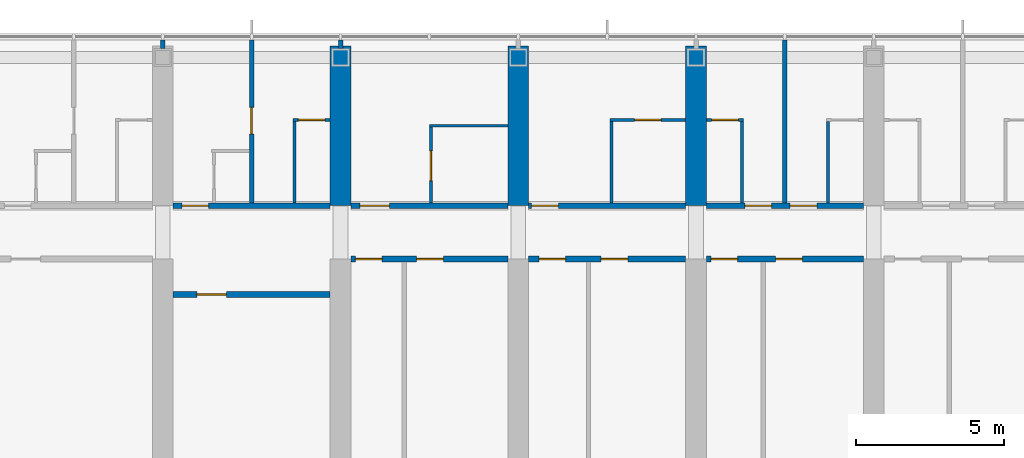
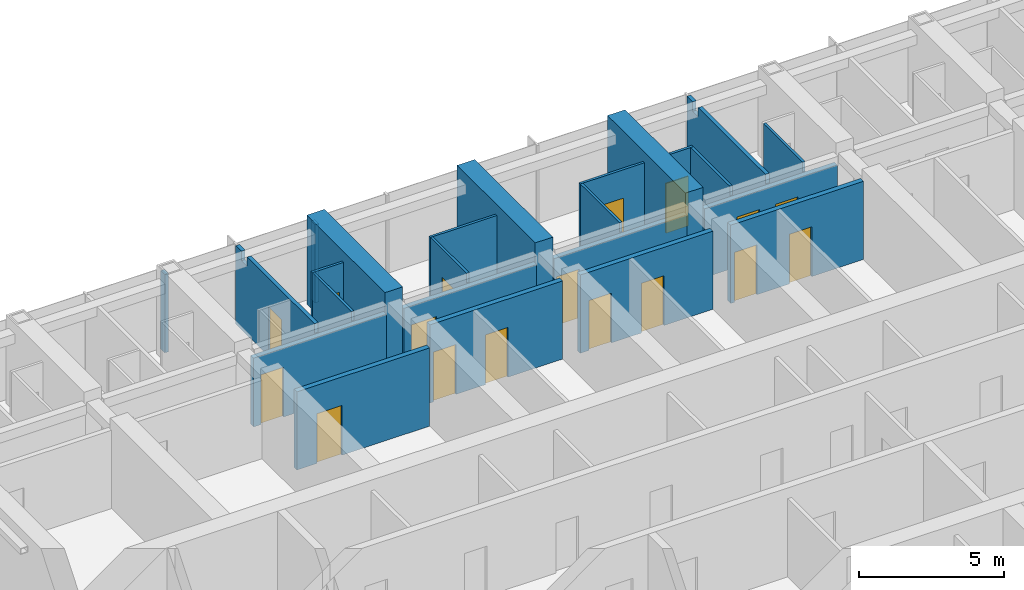
# One storey, part 17 of 24: 24 walls, 17 doors, 17 openings.
"""IFC4 building model written with IfcOpenShell, lengths in metres."""

import ifcopenshell
import ifcopenshell.guid

model = None  # the IFC model being written
_history = None  # IfcOwnerHistory: only IFC2X3 demands one
_inside = {}  # id of a spatial element -> (the spatial element, [elements in it])
_under = {}  # id of a project, library or spatial element -> (it, [spatial elements below it])
_declared = {}  # id of a project -> (the project, [libraries it declares])
_typed = {}  # id of a type object -> (the type object, [elements of that type])
_made_of = {}  # id of a material, layer set ... -> (it, [elements and type objects made of it])


def new_model(schema):
    """Start an empty IFC model of exactly this schema.

    Asked for "IFC4X3", IfcOpenShell would pick the latest addendum, in which some entities
    have other attributes; the version numbers below select the first issue.
    IFC2X3 requires an IfcOwnerHistory on every rooted entity: one is made here for all.
    """
    global model, _history
    if schema == "IFC4X3":
        model = ifcopenshell.file(schema_version=(4, 3, 0, 0))
    else:
        model = ifcopenshell.file(schema=schema)
    _inside.clear()
    _under.clear()
    _declared.clear()
    _typed.clear()
    _made_of.clear()
    _history = None
    if model.schema == "IFC2X3":
        org = make("IfcOrganization", Name="unknown")
        user = make(
            "IfcPersonAndOrganization",
            ThePerson=make("IfcPerson", FamilyName="unknown"),
            TheOrganization=org,
        )
        app = make(
            "IfcApplication",
            ApplicationDeveloper=org,
            Version="unknown",
            ApplicationFullName="unknown",
            ApplicationIdentifier="unknown",
        )
        _history = make(
            "IfcOwnerHistory",
            OwningUser=user,
            OwningApplication=app,
            ChangeAction="ADDED",
            CreationDate=0,
        )
    return model


def make(cls, **values):
    """One entity of the class cls with the attributes given. An attribute that is None is left unset."""
    return model.create_entity(
        cls, **{name: value for name, value in values.items() if value is not None}
    )


def rooted(cls, **values):
    """An entity with a GlobalId (a new one), such as an element, a storey or a relation."""
    return make(cls, GlobalId=ifcopenshell.guid.new(), OwnerHistory=_history, **values)


def si_unit(unit_type, name, prefix=None):
    """IfcSIUnit, for example si_unit("LENGTHUNIT", "METRE", prefix="MILLI")."""
    return make("IfcSIUnit", UnitType=unit_type, Prefix=prefix, Name=name)


def assignment(units):
    """IfcUnitAssignment: the units of a project."""
    return None if units is None else make("IfcUnitAssignment", Units=units)


def point(xyz):
    """IfcCartesianPoint."""
    return None if xyz is None else make("IfcCartesianPoint", Coordinates=xyz)


def direction(xyz):
    """IfcDirection."""
    return None if xyz is None else make("IfcDirection", DirectionRatios=xyz)


def frame(location, z_axis=None, x_axis=None):
    """IfcAxis2Placement3D, a coordinate frame: its origin and axes. An axis left out is left unset."""
    return make(
        "IfcAxis2Placement3D",
        Location=point(location),
        Axis=direction(z_axis),
        RefDirection=direction(x_axis),
    )


def frame_2d(location, x_axis=None):
    """IfcAxis2Placement2D, a coordinate frame in the plane: its origin and x axis."""
    return make(
        "IfcAxis2Placement2D", Location=point(location), RefDirection=direction(x_axis)
    )


def origin():
    """The frame at (0, 0, 0) with its axes left unset."""
    return frame((0.0, 0.0, 0.0))


def place(relative_to, where):
    """IfcLocalPlacement: puts the frame where relative to a parent placement (None: the world)."""
    return make(
        "IfcLocalPlacement", PlacementRelTo=relative_to, RelativePlacement=where
    )


def context(
    kind, dimensions, precision=None, world=None, true_north=None, identifier=None
):
    """IfcGeometricRepresentationContext, for example the 3D "Model" context."""
    return make(
        "IfcGeometricRepresentationContext",
        ContextIdentifier=identifier,
        ContextType=kind,
        CoordinateSpaceDimension=dimensions,
        Precision=precision,
        WorldCoordinateSystem=world,
        TrueNorth=true_north,
    )


def subcontext(parent, identifier, kind, view, scale=None):
    """IfcGeometricRepresentationSubContext, for example "Body" below "Model"."""
    return make(
        "IfcGeometricRepresentationSubContext",
        ContextIdentifier=identifier,
        ContextType=kind,
        ParentContext=parent,
        TargetScale=scale,
        TargetView=view,
    )


def project(units=None, contexts=None):
    """IfcProject with its units and contexts."""
    return rooted(
        "IfcProject",
        Name="project",
        RepresentationContexts=contexts,
        UnitsInContext=assignment(units),
    )


def spatial(cls, under=None, at=None, **own):
    """A site, building, storey or space (cls), placed at a placement, below another one or the project."""
    s = rooted(cls, ObjectPlacement=at, **own)
    if under is not None:
        _under.setdefault(under.id(), (under, []))[1].append(s)
    return s


def polyline(points):
    """IfcPolyline through the points."""
    return make("IfcPolyline", Points=[point(p) for p in points])


def profile(cls, at=None, kind="AREA", **sizes):
    """A parametric profile (cls). Its sizes go by their IFC names, for example OverallWidth=200.0."""
    return make(cls, ProfileType=kind, Position=at, **sizes)


def rectangle(**sizes):
    """IfcRectangleProfileDef."""
    return profile("IfcRectangleProfileDef", **sizes)


def outline(outer, holes=None, kind="AREA"):
    """IfcArbitraryClosedProfileDef: a profile drawn as a closed curve; with holes, ...WithVoids."""
    if holes is None:
        return make("IfcArbitraryClosedProfileDef", ProfileType=kind, OuterCurve=outer)
    return make(
        "IfcArbitraryProfileDefWithVoids",
        ProfileType=kind,
        OuterCurve=outer,
        InnerCurves=holes,
    )


def extrude(swept, where, along, depth):
    """IfcExtrudedAreaSolid: the profile swept, set in the frame where, extruded along a direction by depth."""
    return make(
        "IfcExtrudedAreaSolid",
        SweptArea=swept,
        Position=where,
        ExtrudedDirection=direction(along),
        Depth=depth,
    )


def shape(context_of_items, identifier, shape_type, items):
    """IfcShapeRepresentation: the items that make up one representation, for example the "Body"."""
    return make(
        "IfcShapeRepresentation",
        ContextOfItems=context_of_items,
        RepresentationIdentifier=identifier,
        RepresentationType=shape_type,
        Items=items,
    )


def material(Name=None, Category=None):
    """IfcMaterial."""
    return make("IfcMaterial", Name=Name, Category=Category)


def layer(
    of_material, thickness, ventilated=None, Name=None, Category=None, Priority=None
):
    """IfcMaterialLayer: one layer of a wall or slab, of a material (None: an air gap)."""
    return make(
        "IfcMaterialLayer",
        Material=of_material,
        LayerThickness=thickness,
        IsVentilated=ventilated,
        Name=Name,
        Category=Category,
        Priority=Priority,
    )


def layer_set(layers, Name=None):
    """IfcMaterialLayerSet."""
    return make("IfcMaterialLayerSet", MaterialLayers=layers, LayerSetName=Name)


def made_of(thing, what):
    """Note that an element or type object is made of a material, layer set ...; save() writes the relation."""
    if what is not None:
        _made_of.setdefault(what.id(), (what, []))[1].append(thing)
    return thing


def type_object(cls, material=None, **own):
    """A type object (cls), such as IfcWallType, which elements share."""
    return made_of(rooted(cls, **own), material)


def element(
    cls,
    number,
    at=None,
    inside=None,
    cuts=None,
    type_object=None,
    material=None,
    context=None,
    identifier="Body",
    shape_type=None,
    held_by="IfcProductDefinitionShape",
    body=None,
    shapes=None,
    **own,
):
    """One element of the class cls, such as IfcWall. Its Tag is "e" and its number.

    at: its placement. inside: the storey or other place that contains it. cuts: it is an
    opening in that element (IfcRelVoidsElement). A single representation is given by context,
    identifier, shape_type and body (its items); several are given by shapes. held_by: the class
    of the entity that holds the representations. save() writes the other relations.
    """
    e = rooted(cls, Tag="e%d" % number, ObjectPlacement=at, **own)
    if body is not None:
        shapes = [shape(context, identifier, shape_type, body)]
    if shapes is not None:
        e.Representation = make(held_by, Representations=shapes)
    if inside is not None:
        _inside.setdefault(inside.id(), (inside, []))[1].append(e)
    if cuts is not None:
        rooted(
            "IfcRelVoidsElement", RelatingBuildingElement=cuts, RelatedOpeningElement=e
        )
    if type_object is not None:
        _typed.setdefault(type_object.id(), (type_object, []))[1].append(e)
    return made_of(e, material)


def fill(opening, filler):
    """IfcRelFillsElement: the door or window that sits in an opening."""
    return rooted(
        "IfcRelFillsElement",
        RelatingOpeningElement=opening,
        RelatedBuildingElement=filler,
    )


def aggregate(whole, parts):
    """IfcRelAggregates: a whole, such as a stair, and the parts it consists of."""
    return rooted("IfcRelAggregates", RelatingObject=whole, RelatedObjects=parts)


def save(model, path):
    """Write the relations noted so far, then the file.

    IfcRelAggregates (storeys below a building ...), IfcRelContainedInSpatialStructure (elements
    in a storey), IfcRelDefinesByType, IfcRelAssociatesMaterial and IfcRelDeclares: one each for
    every whole, place, type object, material and project.
    """
    for whole, parts in _under.values():
        aggregate(whole, parts)
    for where, things in _inside.values():
        rooted(
            "IfcRelContainedInSpatialStructure",
            RelatedElements=things,
            RelatingStructure=where,
        )
    for kind, things in _typed.values():
        rooted("IfcRelDefinesByType", RelatedObjects=things, RelatingType=kind)
    for what, things in _made_of.values():
        rooted("IfcRelAssociatesMaterial", RelatedObjects=things, RelatingMaterial=what)
    for by, libraries in _declared.values():
        rooted("IfcRelDeclares", RelatingContext=by, RelatedDefinitions=libraries)
    model.write(path)


model = new_model("IFC4")

# Units and contexts
model_context = context("Model", 3, precision=1e-05, world=origin(), true_north=direction((0.0, 1.0)))
body_context = subcontext(model_context, "Body", "Model", "MODEL_VIEW")
ifc_project = project(units=[si_unit("LENGTHUNIT", "METRE"), si_unit("AREAUNIT", "SQUARE_METRE"), si_unit("VOLUMEUNIT", "CUBIC_METRE"), si_unit("PLANEANGLEUNIT", "RADIAN"), si_unit("MASSUNIT", "GRAM", prefix="KILO")], contexts=[model_context])

# Site, building, storey
site_placement = place(None, origin())
site = spatial("IfcSite", under=ifc_project, at=site_placement, CompositionType="ELEMENT")
building_placement = place(site_placement, origin())
building = spatial("IfcBuilding", under=site, at=building_placement, Name="Orbita Commons", CompositionType="ELEMENT")
storey_placement = place(building_placement, frame((0.0, 0.0, 242.800048828125)))
storey = spatial("IfcBuildingStorey", under=building, at=storey_placement, Name="L60", CompositionType="ELEMENT", Elevation=242.800048828125)

# Wall, opening, door
ifc_material_1 = material(Name="Concrete blockwork", Category="masonry")
ifc_layer_1 = layer(ifc_material_1, 0.199951171875)
ifc_layer_set_1 = layer_set([ifc_layer_1], Name="Concrete blockwork")
wall_type_1 = type_object("IfcWallType", Name="Corridor wall 200 blockwork", PredefinedType="SOLIDWALL", material=ifc_layer_set_1)
wall_1_placement = place(storey_placement, frame((30.35009765625, 47.39990234375, 0.0), z_axis=(0.0, 0.0, 1.0), x_axis=(1.0, 0.0, 0.0)))
wall_1 = element("IfcWall", 1, at=wall_1_placement, inside=storey, type_object=wall_type_1, Name="Corridor wall 200 blockwork L60", PredefinedType="SOLIDWALL", context=body_context, shape_type="SweptSolid", body=[
    extrude(outline(polyline([(0.0, 0.0), (5.2998046875, 0.0), (5.300048828125, 2.89990234375), (0.0, 2.89990234375), (0.0, 0.0)])), frame((0.0, 0.10009765625, 0.0), z_axis=(0.0, -1.0, 0.0), x_axis=(1.0, 0.0, 0.0)), (0.0, 0.0, 1.0), 0.199951171875),
])
opening_1_placement = place(wall_1_placement, frame((0.300048828125, 0.0, 0.0)))
opening_1 = element("IfcOpeningElement", 2, at=opening_1_placement, cuts=wall_1, Name="Opening D11", PredefinedType="OPENING", context=body_context, shape_type="SweptSolid", body=[
    extrude(rectangle(XDim=0.89990234375, YDim=2.10009765625, at=frame_2d((0.449951171875, 1.050048828125))), frame((0.0, 0.10986328125, 0.0), z_axis=(0.0, -1.0, 0.0), x_axis=(1.0, 0.0, 0.0)), (0.0, 0.0, 1.0), 0.219970703125),
])
ifc_material_2 = material(Name="Steel-faced fire door leaf", Category="steel")
door_type_1 = type_object("IfcDoorType", Name="Corridor door 20 min 900x2100", OperationType="SINGLE_SWING_LEFT", PredefinedType="DOOR", material=ifc_material_2)
door_1_placement = place(opening_1_placement, origin())
door_1 = element("IfcDoor", 3, at=door_1_placement, inside=storey, type_object=door_type_1, Name="Guest suite sitting room and kitchenette L60-N04 entrance door", OperationType="SINGLE_SWING_LEFT", OverallHeight=2.10009765625, OverallWidth=0.89990234375, PredefinedType="DOOR", context=body_context, shape_type="SweptSolid", body=[
    extrude(rectangle(XDim=0.89990234375, YDim=2.10009765625, at=frame_2d((0.449951171875, 1.050048828125))), frame((0.0, 0.02490234375, 0.0), z_axis=(0.0, -1.0, 0.0), x_axis=(1.0, 0.0, 0.0)), (0.0, 0.0, 1.0), 0.050048828125),
])
fill(opening_1, door_1)

wall_2_placement = place(storey_placement, frame((36.35009765625, 47.39990234375, 0.0), z_axis=(0.0, 0.0, 1.0), x_axis=(1.0, 0.0, 0.0)))
wall_2 = element("IfcWall", 4, at=wall_2_placement, inside=storey, type_object=wall_type_1, Name="Corridor wall 200 blockwork L60", PredefinedType="SOLIDWALL", context=body_context, shape_type="SweptSolid", body=[
    extrude(outline(polyline([(0.0, 0.0), (5.2998046875, 0.0), (5.300048828125, 2.89990234375), (0.0, 2.89990234375), (0.0, 0.0)])), frame((0.0, 0.10009765625, 0.0), z_axis=(0.0, -1.0, 0.0), x_axis=(1.0, 0.0, 0.0)), (0.0, 0.0, 1.0), 0.199951171875),
])
opening_2_placement = place(wall_2_placement, frame((0.300048828125, 0.0, 0.0)))
opening_2 = element("IfcOpeningElement", 5, at=opening_2_placement, cuts=wall_2, Name="Opening D06", PredefinedType="OPENING", context=body_context, shape_type="SweptSolid", body=[
    extrude(rectangle(XDim=1.0, YDim=2.10009765625, at=frame_2d((0.5, 1.050048828125))), frame((0.0, 0.10986328125, 0.0), z_axis=(0.0, -1.0, 0.0), x_axis=(1.0, 0.0, 0.0)), (0.0, 0.0, 1.0), 0.219970703125),
])
ifc_material_3 = material(Name="Steel-faced fire door leaf", Category="steel")
door_type_2 = type_object("IfcDoorType", Name="Corridor door 20 min 1000x2100", OperationType="SINGLE_SWING_LEFT", PredefinedType="DOOR", material=ifc_material_3)
door_2_placement = place(opening_2_placement, origin())
door_2 = element("IfcDoor", 6, at=door_2_placement, inside=storey, type_object=door_type_2, Name="Accessible bedroom L60-N06 door", OperationType="SINGLE_SWING_LEFT", OverallHeight=2.10009765625, OverallWidth=1.0, PredefinedType="DOOR", context=body_context, shape_type="SweptSolid", body=[
    extrude(rectangle(XDim=1.0, YDim=2.10009765625, at=frame_2d((0.5, 1.050048828125))), frame((0.0, 0.02490234375, 0.0), z_axis=(0.0, -1.0, 0.0), x_axis=(1.0, 0.0, 0.0)), (0.0, 0.0, 1.0), 0.050048828125),
])
fill(opening_2, door_2)

wall_3_placement = place(storey_placement, frame((42.35009765625, 47.39990234375, 0.0), z_axis=(0.0, 0.0, 1.0), x_axis=(1.0, 0.0, 0.0)))
wall_3 = element("IfcWall", 7, at=wall_3_placement, inside=storey, type_object=wall_type_1, Name="Corridor wall 200 blockwork L60", PredefinedType="SOLIDWALL", context=body_context, shape_type="SweptSolid", body=[
    extrude(outline(polyline([(0.0, 0.0), (5.2998046875, 0.0), (5.300048828125, 2.89990234375), (0.0, 2.89990234375), (0.0, 0.0)])), frame((0.0, 0.10009765625, 0.0), z_axis=(0.0, -1.0, 0.0), x_axis=(1.0, 0.0, 0.0)), (0.0, 0.0, 1.0), 0.199951171875),
])
opening_3_placement = place(wall_3_placement, frame((0.10009765625, 0.0, 0.0)))
opening_3 = element("IfcOpeningElement", 8, at=opening_3_placement, cuts=wall_3, Name="Opening D11", PredefinedType="OPENING", context=body_context, shape_type="SweptSolid", body=[
    extrude(rectangle(XDim=0.89990234375, YDim=2.10009765625, at=frame_2d((0.449951171875, 1.050048828125))), frame((0.0, 0.10986328125, 0.0), z_axis=(0.0, -1.0, 0.0), x_axis=(1.0, 0.0, 0.0)), (0.0, 0.0, 1.0), 0.219970703125),
])
door_3_placement = place(opening_3_placement, origin())
door_3 = element("IfcDoor", 9, at=door_3_placement, inside=storey, type_object=door_type_1, Name="Studio apartment with kitchenette L60-N08 door", OperationType="SINGLE_SWING_LEFT", OverallHeight=2.10009765625, OverallWidth=0.89990234375, PredefinedType="DOOR", context=body_context, shape_type="SweptSolid", body=[
    extrude(rectangle(XDim=0.89990234375, YDim=2.10009765625, at=frame_2d((0.449951171875, 1.050048828125))), frame((0.0, 0.02490234375, 0.0), z_axis=(0.0, -1.0, 0.0), x_axis=(1.0, 0.0, 0.0)), (0.0, 0.0, 1.0), 0.050048828125),
])
fill(opening_3, door_3)

# Wall, openings, doors
wall_4_placement = place(storey_placement, frame((48.35009765625, 47.39990234375, 0.0), z_axis=(0.0, 0.0, 1.0), x_axis=(1.0, 0.0, 0.0)))
wall_4 = element("IfcWall", 10, at=wall_4_placement, inside=storey, type_object=wall_type_1, Name="Corridor wall 200 blockwork L60", PredefinedType="SOLIDWALL", context=body_context, shape_type="SweptSolid", body=[
    extrude(outline(polyline([(0.0, 0.0), (5.2998046875, 0.0), (5.300048828125, 2.89990234375), (0.0, 2.89990234375), (0.0, 0.0)])), frame((0.0, 0.10009765625, 0.0), z_axis=(0.0, -1.0, 0.0), x_axis=(1.0, 0.0, 0.0)), (0.0, 0.0, 1.0), 0.199951171875),
])
opening_4_placement = place(wall_4_placement, frame((1.300048828125, 0.0, 0.0)))
opening_4 = element("IfcOpeningElement", 11, at=opening_4_placement, cuts=wall_4, Name="Opening D11", PredefinedType="OPENING", context=body_context, shape_type="SweptSolid", body=[
    extrude(rectangle(XDim=0.89990234375, YDim=2.10009765625, at=frame_2d((0.449951171875, 1.050048828125))), frame((0.0, 0.10986328125, 0.0), z_axis=(0.0, -1.0, 0.0), x_axis=(1.0, 0.0, 0.0)), (0.0, 0.0, 1.0), 0.219970703125),
])
opening_5_placement = place(wall_4_placement, frame((2.824951171875, 0.0, 0.0)))
opening_5 = element("IfcOpeningElement", 12, at=opening_5_placement, cuts=wall_4, Name="Opening D11", PredefinedType="OPENING", context=body_context, shape_type="SweptSolid", body=[
    extrude(rectangle(XDim=0.89990234375, YDim=2.10009765625, at=frame_2d((0.449951171875, 1.050048828125))), frame((0.0, 0.10986328125, 0.0), z_axis=(0.0, -1.0, 0.0), x_axis=(1.0, 0.0, 0.0)), (0.0, 0.0, 1.0), 0.219970703125),
])
door_4_placement = place(opening_4_placement, origin())
door_4 = element("IfcDoor", 13, at=door_4_placement, inside=storey, type_object=door_type_1, Name="Cluster bedroom L60-N10 door", OperationType="SINGLE_SWING_LEFT", OverallHeight=2.10009765625, OverallWidth=0.89990234375, PredefinedType="DOOR", context=body_context, shape_type="SweptSolid", body=[
    extrude(rectangle(XDim=0.89990234375, YDim=2.10009765625, at=frame_2d((0.449951171875, 1.050048828125))), frame((0.0, 0.02490234375, 0.0), z_axis=(0.0, -1.0, 0.0), x_axis=(1.0, 0.0, 0.0)), (0.0, 0.0, 1.0), 0.050048828125),
])
fill(opening_4, door_4)
door_5_placement = place(opening_5_placement, origin())
door_5 = element("IfcDoor", 14, at=door_5_placement, inside=storey, type_object=door_type_1, Name="Cluster bedroom L60-N11 door", OperationType="SINGLE_SWING_LEFT", OverallHeight=2.10009765625, OverallWidth=0.89990234375, PredefinedType="DOOR", context=body_context, shape_type="SweptSolid", body=[
    extrude(rectangle(XDim=0.89990234375, YDim=2.10009765625, at=frame_2d((0.449951171875, 1.050048828125))), frame((0.0, 0.02490234375, 0.0), z_axis=(0.0, -1.0, 0.0), x_axis=(1.0, 0.0, 0.0)), (0.0, 0.0, 1.0), 0.050048828125),
])
fill(opening_5, door_5)

ifc_material_4 = material(Name="Hollow concrete block 200", Category="concrete")
ifc_layer_2 = layer(ifc_material_4, 0.199951171875)
ifc_layer_set_2 = layer_set([ifc_layer_2], Name="Hollow concrete block 200")
wall_type_2 = type_object("IfcWallType", Name="Corridor wall 200 hollow concrete block", PredefinedType="SOLIDWALL", material=ifc_layer_set_2)
wall_5_placement = place(storey_placement, frame((36.35009765625, 45.60009765625, 0.0), z_axis=(0.0, 0.0, 1.0), x_axis=(1.0, 0.0, 0.0)))
wall_5 = element("IfcWall", 15, at=wall_5_placement, inside=storey, type_object=wall_type_2, Name="Corridor wall 200 hollow concrete block L60", PredefinedType="SOLIDWALL", context=body_context, shape_type="SweptSolid", body=[
    extrude(rectangle(XDim=5.2998046875, YDim=0.199951171875, at=frame_2d((2.64990234375, 0.0))), origin(), (0.0, 0.0, 1.0), 3.300048828125),
])
opening_6_placement = place(wall_5_placement, frame((0.14990234375, 0.0, 0.0)))
opening_6 = element("IfcOpeningElement", 16, at=opening_6_placement, cuts=wall_5, Name="Opening D11", PredefinedType="OPENING", context=body_context, shape_type="SweptSolid", body=[
    extrude(rectangle(XDim=0.89990234375, YDim=2.10009765625, at=frame_2d((0.449951171875, 1.050048828125))), frame((0.0, 0.10986328125, 0.0), z_axis=(0.0, -1.0, 0.0), x_axis=(1.0, 0.0, 0.0)), (0.0, 0.0, 1.0), 0.219970703125),
])
opening_7_placement = place(wall_5_placement, frame((2.219970703125, 0.0, 0.0)))
opening_7 = element("IfcOpeningElement", 17, at=opening_7_placement, cuts=wall_5, Name="Opening D11", PredefinedType="OPENING", context=body_context, shape_type="SweptSolid", body=[
    extrude(rectangle(XDim=0.89990234375, YDim=2.10009765625, at=frame_2d((0.449951171875, 1.050048828125))), frame((0.0, 0.10986328125, 0.0), z_axis=(0.0, -1.0, 0.0), x_axis=(1.0, 0.0, 0.0)), (0.0, 0.0, 1.0), 0.219970703125),
])
door_6_placement = place(opening_6_placement, origin())
door_6 = element("IfcDoor", 18, at=door_6_placement, inside=storey, type_object=door_type_1, Name="Equipment store L60-BDN36n door", OperationType="SINGLE_SWING_LEFT", OverallHeight=2.10009765625, OverallWidth=0.89990234375, PredefinedType="DOOR", context=body_context, shape_type="SweptSolid", body=[
    extrude(rectangle(XDim=0.89990234375, YDim=2.10009765625, at=frame_2d((0.449951171875, 1.050048828125))), frame((0.0, 0.02490234375, 0.0), z_axis=(0.0, -1.0, 0.0), x_axis=(1.0, 0.0, 0.0)), (0.0, 0.0, 1.0), 0.050048828125),
])
fill(opening_6, door_6)
door_7_placement = place(opening_7_placement, origin())
door_7 = element("IfcDoor", 19, at=door_7_placement, inside=storey, type_object=door_type_1, Name="IT and print room L60-BDN36 door", OperationType="SINGLE_SWING_LEFT", OverallHeight=2.10009765625, OverallWidth=0.89990234375, PredefinedType="DOOR", context=body_context, shape_type="SweptSolid", body=[
    extrude(rectangle(XDim=0.89990234375, YDim=2.10009765625, at=frame_2d((0.449951171875, 1.050048828125))), frame((0.0, 0.02490234375, 0.0), z_axis=(0.0, -1.0, 0.0), x_axis=(1.0, 0.0, 0.0)), (0.0, 0.0, 1.0), 0.050048828125),
])
fill(opening_7, door_7)

wall_6_placement = place(storey_placement, frame((42.35009765625, 45.60009765625, 0.0), z_axis=(0.0, 0.0, 1.0), x_axis=(1.0, 0.0, 0.0)))
wall_6 = element("IfcWall", 20, at=wall_6_placement, inside=storey, type_object=wall_type_2, Name="Corridor wall 200 hollow concrete block L60", PredefinedType="SOLIDWALL", context=body_context, shape_type="SweptSolid", body=[
    extrude(rectangle(XDim=5.2998046875, YDim=0.199951171875, at=frame_2d((2.64990234375, 0.0))), origin(), (0.0, 0.0, 1.0), 3.300048828125),
])
opening_8_placement = place(wall_6_placement, frame((0.35009765625, 0.0, 0.0)))
opening_8 = element("IfcOpeningElement", 21, at=opening_8_placement, cuts=wall_6, Name="Opening D11", PredefinedType="OPENING", context=body_context, shape_type="SweptSolid", body=[
    extrude(rectangle(XDim=0.89990234375, YDim=2.10009765625, at=frame_2d((0.449951171875, 1.050048828125))), frame((0.0, 0.10986328125, 0.0), z_axis=(0.0, -1.0, 0.0), x_axis=(1.0, 0.0, 0.0)), (0.0, 0.0, 1.0), 0.219970703125),
])
opening_9_placement = place(wall_6_placement, frame((2.445068359375, 0.0, 0.0)))
opening_9 = element("IfcOpeningElement", 22, at=opening_9_placement, cuts=wall_6, Name="Opening D11", PredefinedType="OPENING", context=body_context, shape_type="SweptSolid", body=[
    extrude(rectangle(XDim=0.89990234375, YDim=2.10009765625, at=frame_2d((0.449951171875, 1.050048828125))), frame((0.0, 0.10986328125, 0.0), z_axis=(0.0, -1.0, 0.0), x_axis=(1.0, 0.0, 0.0)), (0.0, 0.0, 1.0), 0.219970703125),
])
door_8_placement = place(opening_8_placement, origin())
door_8 = element("IfcDoor", 23, at=door_8_placement, inside=storey, type_object=door_type_1, Name="Luggage store L60-BDN42n door", OperationType="SINGLE_SWING_LEFT", OverallHeight=2.10009765625, OverallWidth=0.89990234375, PredefinedType="DOOR", context=body_context, shape_type="SweptSolid", body=[
    extrude(rectangle(XDim=0.89990234375, YDim=2.10009765625, at=frame_2d((0.449951171875, 1.050048828125))), frame((0.0, 0.02490234375, 0.0), z_axis=(0.0, -1.0, 0.0), x_axis=(1.0, 0.0, 0.0)), (0.0, 0.0, 1.0), 0.050048828125),
])
fill(opening_8, door_8)
door_9_placement = place(opening_9_placement, origin())
door_9 = element("IfcDoor", 24, at=door_9_placement, inside=storey, type_object=door_type_1, Name="Ventilation plant room south L60-BDN42 door", OperationType="SINGLE_SWING_LEFT", OverallHeight=2.10009765625, OverallWidth=0.89990234375, PredefinedType="DOOR", context=body_context, shape_type="SweptSolid", body=[
    extrude(rectangle(XDim=0.89990234375, YDim=2.10009765625, at=frame_2d((0.449951171875, 1.050048828125))), frame((0.0, 0.02490234375, 0.0), z_axis=(0.0, -1.0, 0.0), x_axis=(1.0, 0.0, 0.0)), (0.0, 0.0, 1.0), 0.050048828125),
])
fill(opening_9, door_9)

wall_7_placement = place(storey_placement, frame((48.35009765625, 45.60009765625, 0.0), z_axis=(0.0, 0.0, 1.0), x_axis=(1.0, 0.0, 0.0)))
wall_7 = element("IfcWall", 25, at=wall_7_placement, inside=storey, type_object=wall_type_2, Name="Corridor wall 200 hollow concrete block L60", PredefinedType="SOLIDWALL", context=body_context, shape_type="SweptSolid", body=[
    extrude(rectangle(XDim=5.2998046875, YDim=0.199951171875, at=frame_2d((2.64990234375, 0.0))), origin(), (0.0, 0.0, 1.0), 3.300048828125),
])
opening_10_placement = place(wall_7_placement, frame((0.14990234375, 0.0, 0.0)))
opening_10 = element("IfcOpeningElement", 26, at=opening_10_placement, cuts=wall_7, Name="Opening D11", PredefinedType="OPENING", context=body_context, shape_type="SweptSolid", body=[
    extrude(rectangle(XDim=0.89990234375, YDim=2.10009765625, at=frame_2d((0.449951171875, 1.050048828125))), frame((0.0, 0.10986328125, 0.0), z_axis=(0.0, -1.0, 0.0), x_axis=(1.0, 0.0, 0.0)), (0.0, 0.0, 1.0), 0.219970703125),
])
opening_11_placement = place(wall_7_placement, frame((2.340087890625, 0.0, 0.0)))
opening_11 = element("IfcOpeningElement", 27, at=opening_11_placement, cuts=wall_7, Name="Opening D11", PredefinedType="OPENING", context=body_context, shape_type="SweptSolid", body=[
    extrude(rectangle(XDim=0.89990234375, YDim=2.10009765625, at=frame_2d((0.449951171875, 1.050048828125))), frame((0.0, 0.10986328125, 0.0), z_axis=(0.0, -1.0, 0.0), x_axis=(1.0, 0.0, 0.0)), (0.0, 0.0, 1.0), 0.219970703125),
])
door_10_placement = place(opening_10_placement, origin())
door_10 = element("IfcDoor", 28, at=door_10_placement, inside=storey, type_object=door_type_1, Name="Battery and UPS room L60-BDN48n door", OperationType="SINGLE_SWING_LEFT", OverallHeight=2.10009765625, OverallWidth=0.89990234375, PredefinedType="DOOR", context=body_context, shape_type="SweptSolid", body=[
    extrude(rectangle(XDim=0.89990234375, YDim=2.10009765625, at=frame_2d((0.449951171875, 1.050048828125))), frame((0.0, 0.02490234375, 0.0), z_axis=(0.0, -1.0, 0.0), x_axis=(1.0, 0.0, 0.0)), (0.0, 0.0, 1.0), 0.050048828125),
])
fill(opening_10, door_10)
door_11_placement = place(opening_11_placement, origin())
door_11 = element("IfcDoor", 29, at=door_11_placement, inside=storey, type_object=door_type_1, Name="Faculty pantry L60-BDN48 door", OperationType="SINGLE_SWING_LEFT", OverallHeight=2.10009765625, OverallWidth=0.89990234375, PredefinedType="DOOR", context=body_context, shape_type="SweptSolid", body=[
    extrude(rectangle(XDim=0.89990234375, YDim=2.10009765625, at=frame_2d((0.449951171875, 1.050048828125))), frame((0.0, 0.02490234375, 0.0), z_axis=(0.0, -1.0, 0.0), x_axis=(1.0, 0.0, 0.0)), (0.0, 0.0, 1.0), 0.050048828125),
])
fill(opening_11, door_11)

# Wall, opening, door
wall_8_placement = place(storey_placement, frame((30.35009765625, 44.39990234375, 0.0), z_axis=(0.0, 0.0, 1.0), x_axis=(1.0, 0.0, 0.0)))
wall_8 = element("IfcWall", 30, at=wall_8_placement, inside=storey, type_object=wall_type_2, Name="Corridor wall 200 hollow concrete block L60", PredefinedType="SOLIDWALL", context=body_context, shape_type="SweptSolid", body=[
    extrude(rectangle(XDim=5.2998046875, YDim=0.199951171875, at=frame_2d((2.64990234375, 0.0))), origin(), (0.0, 0.0, 1.0), 3.300048828125),
])
opening_12_placement = place(wall_8_placement, frame((0.800048828125, 0.0, 0.0)))
opening_12 = element("IfcOpeningElement", 31, at=opening_12_placement, cuts=wall_8, Name="Opening D06", PredefinedType="OPENING", context=body_context, shape_type="SweptSolid", body=[
    extrude(rectangle(XDim=1.0, YDim=2.10009765625, at=frame_2d((0.5, 1.050048828125))), frame((0.0, 0.10986328125, 0.0), z_axis=(0.0, -1.0, 0.0), x_axis=(1.0, 0.0, 0.0)), (0.0, 0.0, 1.0), 0.219970703125),
])
door_12_placement = place(opening_12_placement, origin())
door_12 = element("IfcDoor", 32, at=door_12_placement, inside=storey, type_object=door_type_2, Name="Electrical and data room L60-BDN30 door", OperationType="SINGLE_SWING_LEFT", OverallHeight=2.10009765625, OverallWidth=1.0, PredefinedType="DOOR", context=body_context, shape_type="SweptSolid", body=[
    extrude(rectangle(XDim=1.0, YDim=2.10009765625, at=frame_2d((0.5, 1.050048828125))), frame((0.0, 0.02490234375, 0.0), z_axis=(0.0, -1.0, 0.0), x_axis=(1.0, 0.0, 0.0)), (0.0, 0.0, 1.0), 0.050048828125),
])
fill(opening_12, door_12)

# Walls
ifc_material_5 = material(Name="Concrete C50/60", Category="concrete")
ifc_layer_3 = layer(ifc_material_5, 0.699951171875)
ifc_layer_set_3 = layer_set([ifc_layer_3], Name="Concrete C50/60")
wall_type_3 = type_object("IfcWallType", Name="Cross wall 700 C50/60", PredefinedType="SHEAR", material=ifc_layer_set_3)
for number, where, z_axis, x_axis, name in (
    (33, (36.0, 47.39990234375, 0.0), (0.0, 0.0, 1.0), (0.0, 1.0, 0.0), "Cross wall 7 north outer L60"),
    (34, (42.0, 47.39990234375, 0.0), (0.0, 0.0, 1.0), (0.0, 1.0, 0.0), "Cross wall 8 north outer L60"),
    (35, (48.0, 47.39990234375, 0.0), (0.0, 0.0, 1.0), (0.0, 1.0, 0.0), "Cross wall 9 north outer L60"),
):
    element("IfcWall", number, at=place(storey_placement, frame(where, z_axis=z_axis, x_axis=x_axis)), inside=storey, type_object=wall_type_3, Name=name, PredefinedType="SHEAR", context=body_context, shape_type="SweptSolid", body=[
        extrude(rectangle(XDim=5.400146484375, YDim=0.699951171875, at=frame_2d((2.7001953125, 0.0))), origin(), (0.0, 0.0, 1.0), 3.75),
    ])

# Wall, opening, door
ifc_material_6 = material(Name="Moisture-resistant plasterboard on steel studs", Category="steel")
ifc_layer_4 = layer(ifc_material_6, 0.10009765625)
ifc_layer_set_4 = layer_set([ifc_layer_4], Name="Moisture-resistant plasterboard on steel studs")
wall_type_4 = type_object("IfcWallType", Name="En-suite partition 100", PredefinedType="PARTITIONING", material=ifc_layer_set_4)
wall_9_placement = place(storey_placement, frame((34.39990234375, 50.300048828125, 0.0), z_axis=(0.0, 0.0, 1.0), x_axis=(1.0, 0.0, 0.0)))
wall_9 = element("IfcWall", 36, at=wall_9_placement, inside=storey, type_object=wall_type_4, Name="En-suite partition 100 L60", PredefinedType="PARTITIONING", context=body_context, shape_type="SweptSolid", body=[
    extrude(rectangle(XDim=1.25, YDim=0.10009765625, at=frame_2d((0.625, 0.0))), origin(), (0.0, 0.0, 1.0), 3.300048828125),
])
opening_13_placement = place(wall_9_placement, frame((0.175048828125, 0.0, 0.0)))
opening_13 = element("IfcOpeningElement", 37, at=opening_13_placement, cuts=wall_9, Name="Opening D09", PredefinedType="OPENING", context=body_context, shape_type="SweptSolid", body=[
    extrude(rectangle(XDim=0.89990234375, YDim=2.10009765625, at=frame_2d((0.449951171875, 1.050048828125))), frame((0.0, 0.06005859375, 0.0), z_axis=(0.0, -1.0, 0.0), x_axis=(1.0, 0.0, 0.0)), (0.0, 0.0, 1.0), 0.1201171875),
])
ifc_material_7 = material(Name="Laminated timber door leaf", Category="wood")
door_type_3 = type_object("IfcDoorType", Name="En-suite door 900x2100", OperationType="SINGLE_SWING_RIGHT", PredefinedType="DOOR", material=ifc_material_7)
door_13_placement = place(opening_13_placement, origin())
door_13 = element("IfcDoor", 38, at=door_13_placement, inside=storey, type_object=door_type_3, Name="En-suite L60-N05 door", OperationType="SINGLE_SWING_RIGHT", OverallHeight=2.10009765625, OverallWidth=0.89990234375, PredefinedType="DOOR", context=body_context, shape_type="SweptSolid", body=[
    extrude(rectangle(XDim=0.89990234375, YDim=2.10009765625, at=frame_2d((0.449951171875, 1.050048828125))), frame((0.0, 0.02490234375, 0.0), z_axis=(0.0, -1.0, 0.0), x_axis=(1.0, 0.0, 0.0)), (0.0, 0.0, 1.0), 0.050048828125),
])
fill(opening_13, door_13)

# Walls
wall_10_placement = place(storey_placement, frame((34.449951171875, 50.25, 0.0), z_axis=(0.0, 0.0, 1.0), x_axis=(0.0, -1.0, 0.0)))
element("IfcWall", 39, at=wall_10_placement, inside=storey, type_object=wall_type_4, Name="En-suite partition 100 L60", PredefinedType="PARTITIONING", context=body_context, shape_type="SweptSolid", body=[
    extrude(outline(polyline([(0.0, 0.0), (2.75, 0.0), (2.75, 2.89990234375), (2.701904296875, 2.89990234375), (2.699951171875, 3.300048828125), (0.0, 3.300048828125), (0.0, 0.0)])), frame((0.0, 0.050048828125, 0.0), z_axis=(0.0, -1.0, 0.0), x_axis=(1.0, 0.0, 0.0)), (0.0, 0.0, 1.0), 0.10009765625),
])
wall_11_placement = place(storey_placement, frame((39.0, 50.10009765625, 0.0), z_axis=(0.0, 0.0, 1.0), x_axis=(1.0, 0.0, 0.0)))
element("IfcWall", 40, at=wall_11_placement, inside=storey, type_object=wall_type_4, Name="En-suite partition 100 L60", PredefinedType="PARTITIONING", context=body_context, shape_type="SweptSolid", body=[
    extrude(rectangle(XDim=2.64990234375, YDim=0.10009765625, at=frame_2d((1.324951171875, 0.0))), origin(), (0.0, 0.0, 1.0), 3.300048828125),
])

# Wall, opening, door
wall_12_placement = place(storey_placement, frame((39.050048828125, 50.050048828125, 0.0), z_axis=(0.0, 0.0, 1.0), x_axis=(0.0, -1.0, 0.0)))
wall_12 = element("IfcWall", 41, at=wall_12_placement, inside=storey, type_object=wall_type_4, Name="En-suite partition 100 L60", PredefinedType="PARTITIONING", context=body_context, shape_type="SweptSolid", body=[
    extrude(outline(polyline([(0.0, 0.0), (2.550048828125, 0.0), (2.550048828125, 2.89990234375), (2.501953125, 2.89990234375), (2.5, 3.300048828125), (0.0, 3.300048828125), (0.0, 0.0)])), frame((0.0, 0.050048828125, 0.0), z_axis=(0.0, -1.0, 0.0), x_axis=(1.0, 0.0, 0.0)), (0.0, 0.0, 1.0), 0.10009765625),
])
opening_14_placement = place(wall_12_placement, frame((0.800048828125, 0.0, 0.0)))
opening_14 = element("IfcOpeningElement", 42, at=opening_14_placement, cuts=wall_12, Name="Opening D13", PredefinedType="OPENING", context=body_context, shape_type="SweptSolid", body=[
    extrude(rectangle(XDim=1.0, YDim=2.10009765625, at=frame_2d((0.5, 1.050048828125))), frame((0.0, 0.06005859375, 0.0), z_axis=(0.0, -1.0, 0.0), x_axis=(1.0, 0.0, 0.0)), (0.0, 0.0, 1.0), 0.1201171875),
])
ifc_material_8 = material(Name="Laminated timber door leaf", Category="wood")
door_type_4 = type_object("IfcDoorType", Name="En-suite door 1000x2100", OperationType="SINGLE_SWING_RIGHT", PredefinedType="DOOR", material=ifc_material_8)
door_14_placement = place(opening_14_placement, origin())
door_14 = element("IfcDoor", 43, at=door_14_placement, inside=storey, type_object=door_type_4, Name="Accessible shower room L60-N06 door", OperationType="SINGLE_SWING_RIGHT", OverallHeight=2.10009765625, OverallWidth=1.0, PredefinedType="DOOR", context=body_context, shape_type="SweptSolid", body=[
    extrude(rectangle(XDim=1.0, YDim=2.10009765625, at=frame_2d((0.5, 1.050048828125))), frame((0.0, 0.02490234375, 0.0), z_axis=(0.0, -1.0, 0.0), x_axis=(1.0, 0.0, 0.0)), (0.0, 0.0, 1.0), 0.050048828125),
])
fill(opening_14, door_14)

wall_13_placement = place(storey_placement, frame((45.10009765625, 50.300048828125, 0.0), z_axis=(0.0, 0.0, 1.0), x_axis=(1.0, 0.0, 0.0)))
wall_13 = element("IfcWall", 44, at=wall_13_placement, inside=storey, type_object=wall_type_4, Name="En-suite partition 100 L60", PredefinedType="PARTITIONING", context=body_context, shape_type="SweptSolid", body=[
    extrude(rectangle(XDim=2.5498046875, YDim=0.10009765625, at=frame_2d((1.27490234375, 0.0))), origin(), (0.0, 0.0, 1.0), 3.300048828125),
])
opening_15_placement = place(wall_13_placement, frame((0.824951171875, 0.0, 0.0)))
opening_15 = element("IfcOpeningElement", 45, at=opening_15_placement, cuts=wall_13, Name="Opening D09", PredefinedType="OPENING", context=body_context, shape_type="SweptSolid", body=[
    extrude(rectangle(XDim=0.89990234375, YDim=2.10009765625, at=frame_2d((0.449951171875, 1.050048828125))), frame((0.0, 0.06005859375, 0.0), z_axis=(0.0, -1.0, 0.0), x_axis=(1.0, 0.0, 0.0)), (0.0, 0.0, 1.0), 0.1201171875),
])
door_15_placement = place(opening_15_placement, origin())
door_15 = element("IfcDoor", 46, at=door_15_placement, inside=storey, type_object=door_type_3, Name="En-suite L60-N08 door", OperationType="SINGLE_SWING_RIGHT", OverallHeight=2.10009765625, OverallWidth=0.89990234375, PredefinedType="DOOR", context=body_context, shape_type="SweptSolid", body=[
    extrude(rectangle(XDim=0.89990234375, YDim=2.10009765625, at=frame_2d((0.449951171875, 1.050048828125))), frame((0.0, 0.02490234375, 0.0), z_axis=(0.0, -1.0, 0.0), x_axis=(1.0, 0.0, 0.0)), (0.0, 0.0, 1.0), 0.050048828125),
])
fill(opening_15, door_15)

# Wall
wall_14_placement = place(storey_placement, frame((45.14990234375, 50.25, 0.0), z_axis=(0.0, 0.0, 1.0), x_axis=(0.0, -1.0, 0.0)))
element("IfcWall", 47, at=wall_14_placement, inside=storey, type_object=wall_type_4, Name="En-suite partition 100 L60", PredefinedType="PARTITIONING", context=body_context, shape_type="SweptSolid", body=[
    extrude(outline(polyline([(0.0, 0.0), (2.75, 0.0), (2.75, 2.89990234375), (2.701904296875, 2.89990234375), (2.699951171875, 3.300048828125), (0.0, 3.300048828125), (0.0, 0.0)])), frame((0.0, 0.050048828125, 0.0), z_axis=(0.0, -1.0, 0.0), x_axis=(1.0, 0.0, 0.0)), (0.0, 0.0, 1.0), 0.10009765625),
])

# Wall, opening, door
wall_15_placement = place(storey_placement, frame((48.35009765625, 50.300048828125, 0.0), z_axis=(0.0, 0.0, 1.0), x_axis=(1.0, 0.0, 0.0)))
wall_15 = element("IfcWall", 48, at=wall_15_placement, inside=storey, type_object=wall_type_4, Name="En-suite partition 100 L60", PredefinedType="PARTITIONING", context=body_context, shape_type="SweptSolid", body=[
    extrude(rectangle(XDim=1.25, YDim=0.10009765625, at=frame_2d((0.625, 0.0))), origin(), (0.0, 0.0, 1.0), 3.300048828125),
])
opening_16_placement = place(wall_15_placement, frame((0.175048828125, 0.0, 0.0)))
opening_16 = element("IfcOpeningElement", 49, at=opening_16_placement, cuts=wall_15, Name="Opening D09", PredefinedType="OPENING", context=body_context, shape_type="SweptSolid", body=[
    extrude(rectangle(XDim=0.89990234375, YDim=2.10009765625, at=frame_2d((0.449951171875, 1.050048828125))), frame((0.0, 0.06005859375, 0.0), z_axis=(0.0, -1.0, 0.0), x_axis=(1.0, 0.0, 0.0)), (0.0, 0.0, 1.0), 0.1201171875),
])
door_16_placement = place(opening_16_placement, origin())
door_16 = element("IfcDoor", 50, at=door_16_placement, inside=storey, type_object=door_type_3, Name="En-suite L60-N10 door", OperationType="SINGLE_SWING_RIGHT", OverallHeight=2.10009765625, OverallWidth=0.89990234375, PredefinedType="DOOR", context=body_context, shape_type="SweptSolid", body=[
    extrude(rectangle(XDim=0.89990234375, YDim=2.10009765625, at=frame_2d((0.449951171875, 1.050048828125))), frame((0.0, 0.02490234375, 0.0), z_axis=(0.0, -1.0, 0.0), x_axis=(1.0, 0.0, 0.0)), (0.0, 0.0, 1.0), 0.050048828125),
])
fill(opening_16, door_16)

# Walls
for number, where, z_axis, x_axis, name in (
    (51, (49.550048828125, 50.25, 0.0), (0.0, 0.0, 1.0), (0.0, -1.0, 0.0), "En-suite partition 100 L60"),
    (52, (52.449951171875, 50.25, 0.0), (0.0, 0.0, 1.0), (0.0, -1.0, 0.0), "En-suite partition 100 L60"),
):
    element("IfcWall", number, at=place(storey_placement, frame(where, z_axis=z_axis, x_axis=x_axis)), inside=storey, type_object=wall_type_4, Name=name, PredefinedType="PARTITIONING", context=body_context, shape_type="SweptSolid", body=[
        extrude(outline(polyline([(0.0, 0.0), (2.75, 0.0), (2.75, 2.89990234375), (2.701904296875, 2.89990234375), (2.699951171875, 3.300048828125), (0.0, 3.300048828125), (0.0, 0.0)])), frame((0.0, 0.050048828125, 0.0), z_axis=(0.0, -1.0, 0.0), x_axis=(1.0, 0.0, 0.0)), (0.0, 0.0, 1.0), 0.10009765625),
    ])

# Wall, opening, door
ifc_material_9 = material(Name="Gypsum plasterboard on steel studs", Category="steel")
ifc_layer_5 = layer(ifc_material_9, 0.14990234375)
ifc_layer_set_5 = layer_set([ifc_layer_5], Name="Gypsum plasterboard on steel studs")
wall_type_5 = type_object("IfcWallType", Name="Partition 150 plasterboard", PredefinedType="PARTITIONING", material=ifc_layer_set_5)
wall_16_placement = place(storey_placement, frame((33.0, 52.989990234375, 0.0), z_axis=(0.0, 0.0, 1.0), x_axis=(0.0, -1.0, 0.0)))
wall_16 = element("IfcWall", 53, at=wall_16_placement, inside=storey, type_object=wall_type_5, Name="Partition 150 plasterboard L60", PredefinedType="PARTITIONING", context=body_context, shape_type="SweptSolid", body=[
    extrude(outline(polyline([(0.0, 0.0), (5.489990234375, 0.0), (5.489990234375, 2.89990234375), (5.44189453125, 2.89990234375), (5.43994140625, 3.300048828125), (0.7919921875, 3.300048828125), (0.7900390625, 2.89990234375), (0.39208984375, 2.89990234375), (0.389892578125, 3.300048828125), (0.0, 3.300048828125), (0.0, 0.0)])), frame((0.0, 0.074951171875, 0.0), z_axis=(0.0, -1.0, 0.0), x_axis=(1.0, 0.0, 0.0)), (0.0, 0.0, 1.0), 0.14990234375),
])
opening_17_placement = place(wall_16_placement, frame((2.27001953125, 0.0, 0.0)))
opening_17 = element("IfcOpeningElement", 54, at=opening_17_placement, cuts=wall_16, Name="Opening D09", PredefinedType="OPENING", context=body_context, shape_type="SweptSolid", body=[
    extrude(rectangle(XDim=0.89990234375, YDim=2.10009765625, at=frame_2d((0.449951171875, 1.050048828125))), frame((0.0, 0.0849609375, 0.0), z_axis=(0.0, -1.0, 0.0), x_axis=(1.0, 0.0, 0.0)), (0.0, 0.0, 1.0), 0.169921875),
])
door_17_placement = place(opening_17_placement, origin())
door_17 = element("IfcDoor", 55, at=door_17_placement, inside=storey, type_object=door_type_3, Name="Guest suite bedroom L60-N04 door", OperationType="SINGLE_SWING_RIGHT", OverallHeight=2.10009765625, OverallWidth=0.89990234375, PredefinedType="DOOR", context=body_context, shape_type="SweptSolid", body=[
    extrude(rectangle(XDim=0.89990234375, YDim=2.10009765625, at=frame_2d((0.449951171875, 1.050048828125))), frame((0.0, 0.02490234375, 0.0), z_axis=(0.0, -1.0, 0.0), x_axis=(1.0, 0.0, 0.0)), (0.0, 0.0, 1.0), 0.050048828125),
])
fill(opening_17, door_17)

# Walls
for number, where, z_axis, x_axis, name in (
    (56, (30.0, 52.699951171875, 0.0), (0.0, 0.0, 1.0), (0.0, 1.0, 0.0), "Partition 150 plasterboard L60"),
    (57, (36.0, 52.699951171875, 0.0), (0.0, 0.0, 1.0), (0.0, 1.0, 0.0), "Partition 150 plasterboard L60"),
):
    element("IfcWall", number, at=place(storey_placement, frame(where, z_axis=z_axis, x_axis=x_axis)), inside=storey, type_object=wall_type_5, Name=name, PredefinedType="PARTITIONING", context=body_context, shape_type="SweptSolid", body=[
        extrude(rectangle(XDim=0.2900390625, YDim=0.14990234375, at=frame_2d((0.14501953125, 0.0))), origin(), (0.0, 0.0, 1.0), 3.300048828125),
    ])
ifc_material_10 = material(Name="Gypsum plasterboard on steel studs", Category="steel")
ifc_layer_6 = layer(ifc_material_10, 0.14990234375)
ifc_layer_set_6 = layer_set([ifc_layer_6], Name="Gypsum plasterboard on steel studs")
wall_type_6 = type_object("IfcWallType", Name="Party wall 150 plasterboard", PredefinedType="PARTITIONING", material=ifc_layer_set_6)
wall_17_placement = place(storey_placement, frame((51.0, 52.989990234375, 0.0), z_axis=(0.0, 0.0, 1.0), x_axis=(0.0, -1.0, 0.0)))
element("IfcWall", 58, at=wall_17_placement, inside=storey, type_object=wall_type_6, Name="Party wall 150 plasterboard L60", PredefinedType="PARTITIONING", context=body_context, shape_type="SweptSolid", body=[
    extrude(outline(polyline([(0.0, 0.0), (5.489990234375, 0.0), (5.489990234375, 2.89990234375), (5.44189453125, 2.89990234375), (5.43994140625, 3.300048828125), (0.7919921875, 3.300048828125), (0.7900390625, 2.89990234375), (0.39208984375, 2.89990234375), (0.389892578125, 3.300048828125), (0.0, 3.300048828125), (0.0, 0.0)])), frame((0.0, 0.074951171875, 0.0), z_axis=(0.0, -1.0, 0.0), x_axis=(1.0, 0.0, 0.0)), (0.0, 0.0, 1.0), 0.14990234375),
])

save(model, "model.ifc")
